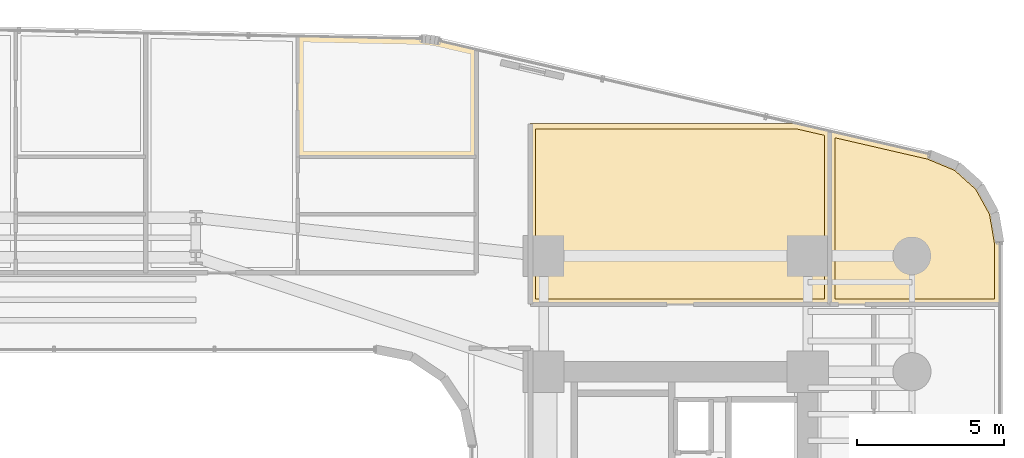
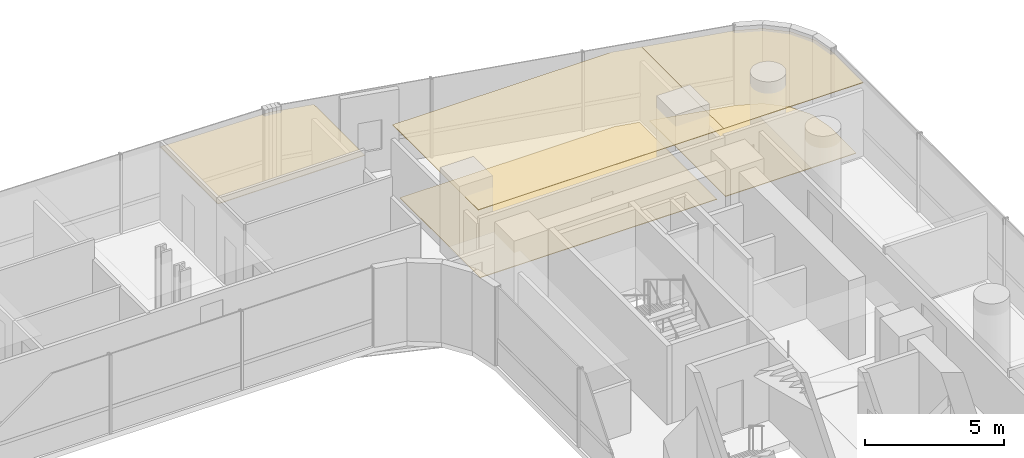
# One storey, part 42 of 42: 5 coverings.
"""IFC4 building model written with IfcOpenShell, lengths in metres."""

from ifc_helpers import new_model, si_unit, direction, frame, origin, place, context, subcontext, project, spatial, polyline, outline, extrude, material, layer, layer_set, type_object, element, save


model = new_model("IFC4")

# Units and contexts
model_context = context("Model", 3, precision=1e-05, world=origin(), true_north=direction((0.0, 1.0)))
body_context = subcontext(model_context, "Body", "Model", "MODEL_VIEW")
ifc_project = project(units=[si_unit("LENGTHUNIT", "METRE"), si_unit("AREAUNIT", "SQUARE_METRE"), si_unit("VOLUMEUNIT", "CUBIC_METRE"), si_unit("PLANEANGLEUNIT", "RADIAN"), si_unit("MASSUNIT", "GRAM", prefix="KILO")], contexts=[model_context])

# Site, building, storey
site_placement = place(None, origin())
site = spatial("IfcSite", under=ifc_project, at=site_placement, CompositionType="ELEMENT")
building_placement = place(site_placement, origin())
building = spatial("IfcBuilding", under=site, at=building_placement, Name="Valdorenza Pilgrim Sanctuary Tower", CompositionType="ELEMENT")
storey_placement = place(building_placement, frame((0.0, 0.0, 55.60009765625)))
storey = spatial("IfcBuildingStorey", under=building, at=storey_placement, Name="L13", CompositionType="ELEMENT", Elevation=55.60009765625)

# Coverings
ifc_material_1 = material(Name="Micro-perforated acoustic mineral ceiling tile", Category="gypsum")
ifc_layer_1 = layer(ifc_material_1, 0.02490234375, Name="Micro-perforated acoustic mineral ceiling tile")
ifc_layer_set_1 = layer_set([ifc_layer_1], Name="Micro-perforated acoustic mineral ceiling tile")
covering_type_1 = type_object("IfcCoveringType", Name="COV-CLG-ACU", PredefinedType="CEILING", material=ifc_layer_set_1)
covering_1_placement = place(storey_placement, frame((0.0, 0.0, 3.159912109375)))
element("IfcCovering", 1, at=covering_1_placement, inside=storey, type_object=covering_type_1, Name="L13 North Sanctuary Apartment L13-N4 Bedroom Acoustic Ceiling", PredefinedType="CEILING", context=body_context, shape_type="SweptSolid", body=[
    extrude(outline(polyline([(7.468017578125, 16.85498046875), (7.466552734375, 16.85498046875), (7.465087890625, 16.855224609375), (7.463623046875, 16.855712890625), (7.46240234375, 16.856201171875), (7.4609375, 16.856689453125), (7.459716796875, 16.857421875), (7.45849609375, 16.8583984375), (7.45751953125, 16.859375), (7.456298828125, 16.860595703125), (7.45556640625, 16.86181640625), (7.454833984375, 16.86279296875), (7.4541015625, 16.8642578125), (7.45361328125, 16.865478515625), (7.453369140625, 16.8671875), (7.453125, 16.868408203125), (7.452880859375, 16.8701171875), (7.452880859375, 20.984375), (7.453125, 20.98583984375), (7.453369140625, 20.9873046875), (7.45361328125, 20.98876953125), (7.4541015625, 20.990234375), (7.454833984375, 20.99169921875), (7.45556640625, 20.992919921875), (7.45654296875, 20.993896484375), (7.45751953125, 20.9951171875), (7.45849609375, 20.99609375), (7.459716796875, 20.9970703125), (7.461181640625, 20.997802734375), (7.46240234375, 20.998291015625), (7.4638671875, 20.998779296875), (7.46533203125, 20.999267578125), (7.466796875, 20.99951171875), (7.46826171875, 20.99951171875), (11.666015625, 20.912109375), (11.66650390625, 20.911865234375), (11.82666015625, 20.904296875), (11.827392578125, 20.904296875), (11.98583984375, 20.888916015625), (11.986572265625, 20.888671875), (12.143798828125, 20.864990234375), (12.14453125, 20.864990234375), (12.302001953125, 20.832763671875), (12.30224609375, 20.832763671875), (13.553466796875, 20.5439453125), (13.5546875, 20.543701171875), (13.55615234375, 20.543212890625), (13.557373046875, 20.54248046875), (13.55859375, 20.541748046875), (13.559814453125, 20.540771484375), (13.560791015625, 20.539794921875), (13.561767578125, 20.538818359375), (13.5625, 20.53759765625), (13.563232421875, 20.536376953125), (13.56396484375, 20.534912109375), (13.564453125, 20.53369140625), (13.564697265625, 20.5322265625), (13.56494140625, 20.53076171875), (13.56494140625, 20.529296875), (13.56494140625, 16.8701171875), (13.56494140625, 16.868408203125), (13.564697265625, 16.8671875), (13.564453125, 16.865478515625), (13.56396484375, 16.8642578125), (13.563232421875, 16.86279296875), (13.5625, 16.86181640625), (13.5615234375, 16.860595703125), (13.560546875, 16.859375), (13.5595703125, 16.8583984375), (13.558349609375, 16.857421875), (13.55712890625, 16.856689453125), (13.5556640625, 16.856201171875), (13.554443359375, 16.855712890625), (13.552978515625, 16.855224609375), (13.551513671875, 16.85498046875), (13.550048828125, 16.85498046875), (7.468017578125, 16.85498046875)])), origin(), (0.0, 0.0, 1.0), 0.02490234375),
])
covering_2_placement = place(storey_placement, frame((0.0, 0.0, 3.159912109375)))
element("IfcCovering", 2, at=covering_2_placement, inside=storey, type_object=covering_type_1, Name="L13 Curator Research Office L13-BN1 Acoustic Ceiling", PredefinedType="CEILING", context=body_context, shape_type="SweptSolid", body=[
    extrude(outline(polyline([(15.39990234375, 11.8349609375), (15.3984375, 11.835205078125), (15.397216796875, 11.835205078125), (15.3955078125, 11.835693359375), (15.394287109375, 11.836181640625), (15.392822265625, 11.8369140625), (15.3916015625, 11.83740234375), (15.390380859375, 11.83837890625), (15.389404296875, 11.83935546875), (15.388427734375, 11.840576171875), (15.387451171875, 11.841796875), (15.38671875, 11.843017578125), (15.385986328125, 11.84423828125), (15.385498046875, 11.845703125), (15.38525390625, 11.84716796875), (15.385009765625, 11.848388671875), (15.385009765625, 11.85009765625), (15.385009765625, 18.0), (15.385009765625, 18.00146484375), (15.38525390625, 18.0029296875), (15.385498046875, 18.00439453125), (15.385986328125, 18.005615234375), (15.38671875, 18.007080078125), (15.387451171875, 18.00830078125), (15.388427734375, 18.009521484375), (15.389404296875, 18.010498046875), (15.390380859375, 18.01171875), (15.3916015625, 18.012451171875), (15.392822265625, 18.01318359375), (15.394287109375, 18.013916015625), (15.3955078125, 18.014404296875), (15.397216796875, 18.0146484375), (15.3984375, 18.014892578125), (15.39990234375, 18.014892578125), (24.5107421875, 18.014892578125), (24.512451171875, 18.014892578125), (24.51416015625, 18.0146484375), (25.603515625, 17.76318359375), (25.604736328125, 17.762939453125), (25.606201171875, 17.76220703125), (25.607421875, 17.76171875), (25.608642578125, 17.760986328125), (25.609619140625, 17.760009765625), (25.61083984375, 17.759033203125), (25.61181640625, 17.758056640625), (25.612548828125, 17.7568359375), (25.61328125, 17.755615234375), (25.614013671875, 17.75439453125), (25.614501953125, 17.7529296875), (25.61474609375, 17.75146484375), (25.614990234375, 17.75), (25.614990234375, 17.74853515625), (25.614990234375, 11.85009765625), (25.614990234375, 11.848388671875), (25.61474609375, 11.84716796875), (25.614501953125, 11.845703125), (25.614013671875, 11.84423828125), (25.61328125, 11.843017578125), (25.612548828125, 11.841796875), (25.611572265625, 11.840576171875), (25.610595703125, 11.83935546875), (25.609619140625, 11.83837890625), (25.6083984375, 11.83740234375), (25.607177734375, 11.8369140625), (25.605712890625, 11.836181640625), (25.6044921875, 11.835693359375), (25.602783203125, 11.835205078125), (25.6015625, 11.835205078125), (25.60009765625, 11.8349609375), (15.39990234375, 11.8349609375)])), origin(), (0.0, 0.0, 1.0), 0.02490234375),
])
covering_3_placement = place(storey_placement, frame((0.0, 0.0, 3.159912109375)))
element("IfcCovering", 3, at=covering_3_placement, inside=storey, type_object=covering_type_1, Name="L13 East Wing Reference Library L13-BNE Acoustic Ceiling", PredefinedType="CEILING", context=body_context, shape_type="SweptSolid", body=[
    extrude(outline(polyline([(28.9892578125, 16.98193359375), (28.990478515625, 16.981689453125), (28.99169921875, 16.981201171875), (29.95361328125, 16.580322265625), (29.955078125, 16.57958984375), (29.95654296875, 16.57861328125), (29.9580078125, 16.57763671875), (30.72705078125, 15.88818359375), (30.728271484375, 15.886962890625), (30.729248046875, 15.8857421875), (30.72998046875, 15.88427734375), (31.22900390625, 14.97998046875), (31.2294921875, 14.978271484375), (31.230224609375, 14.976806640625), (31.230712890625, 14.97509765625), (31.40478515625, 13.947509765625), (31.40478515625, 13.9462890625), (31.405029296875, 13.945068359375), (31.405029296875, 11.85009765625), (31.40478515625, 11.848388671875), (31.40478515625, 11.84716796875), (31.404296875, 11.845703125), (31.40380859375, 11.84423828125), (31.4033203125, 11.843017578125), (31.402587890625, 11.841796875), (31.401611328125, 11.840576171875), (31.400634765625, 11.83935546875), (31.3994140625, 11.83837890625), (31.398193359375, 11.83740234375), (31.397216796875, 11.8369140625), (31.395751953125, 11.836181640625), (31.394287109375, 11.835693359375), (31.392822265625, 11.835205078125), (31.3916015625, 11.835205078125), (31.389892578125, 11.8349609375), (25.60205078125, 11.8349609375), (25.6005859375, 11.835205078125), (25.59912109375, 11.835205078125), (25.59765625, 11.835693359375), (25.59619140625, 11.836181640625), (25.594970703125, 11.8369140625), (25.59375, 11.83740234375), (25.592529296875, 11.83837890625), (25.59130859375, 11.83935546875), (25.59033203125, 11.840576171875), (25.589599609375, 11.841796875), (25.5888671875, 11.843017578125), (25.588134765625, 11.84423828125), (25.587646484375, 11.845703125), (25.58740234375, 11.84716796875), (25.587158203125, 11.848388671875), (25.5869140625, 11.85009765625), (25.5869140625, 17.748291015625), (25.587158203125, 17.749755859375), (25.58740234375, 17.751220703125), (25.587646484375, 17.752685546875), (25.588134765625, 17.75390625), (25.5888671875, 17.75537109375), (25.589599609375, 17.756591796875), (25.590576171875, 17.7578125), (25.591552734375, 17.7587890625), (25.5927734375, 17.760009765625), (25.593994140625, 17.7607421875), (25.59521484375, 17.761474609375), (25.596435546875, 17.76220703125), (25.597900390625, 17.7626953125), (25.599365234375, 17.762939453125), (25.600830078125, 17.76318359375), (25.602294921875, 17.76318359375), (25.60400390625, 17.76318359375), (25.60546875, 17.7626953125), (28.9892578125, 16.98193359375)])), origin(), (0.0, 0.0, 1.0), 0.02490234375),
])
ifc_material_2 = material(Name="Honed travertine stone flooring", Category="masonry")
ifc_layer_2 = layer(ifc_material_2, 0.030029296875, Name="Honed travertine stone flooring")
ifc_layer_set_2 = layer_set([ifc_layer_2], Name="Honed travertine stone flooring")
covering_type_2 = type_object("IfcCoveringType", Name="COV-FLR-TRV", PredefinedType="FLOORING", material=ifc_layer_set_2)
covering_4_placement = place(storey_placement, origin())
element("IfcCovering", 4, at=covering_4_placement, inside=storey, type_object=covering_type_2, Name="L13 Curator Research Office L13-BN1 Flooring", PredefinedType="FLOORING", context=body_context, shape_type="SweptSolid", body=[
    extrude(outline(polyline([(15.580078125, 12.030029296875), (15.580078125, 17.820068359375), (24.490234375, 17.820068359375), (25.419921875, 17.60546875), (25.419921875, 12.030029296875), (15.580078125, 12.030029296875)])), origin(), (0.0, 0.0, 1.0), 0.02490234375),
])
covering_5_placement = place(storey_placement, origin())
element("IfcCovering", 5, at=covering_5_placement, inside=storey, type_object=covering_type_2, Name="L13 East Wing Reference Library L13-BNE Flooring", PredefinedType="FLOORING", context=body_context, shape_type="SweptSolid", body=[
    extrude(outline(polyline([(28.9306640625, 16.79541015625), (29.8505859375, 16.412109375), (30.57421875, 15.763427734375), (31.04345703125, 14.912353515625), (31.2099609375, 13.929931640625), (31.2099609375, 12.030029296875), (25.781982421875, 12.030029296875), (25.781982421875, 17.52197265625), (28.9306640625, 16.79541015625)])), origin(), (0.0, 0.0, 1.0), 0.02490234375),
])

save(model, "model.ifc")
